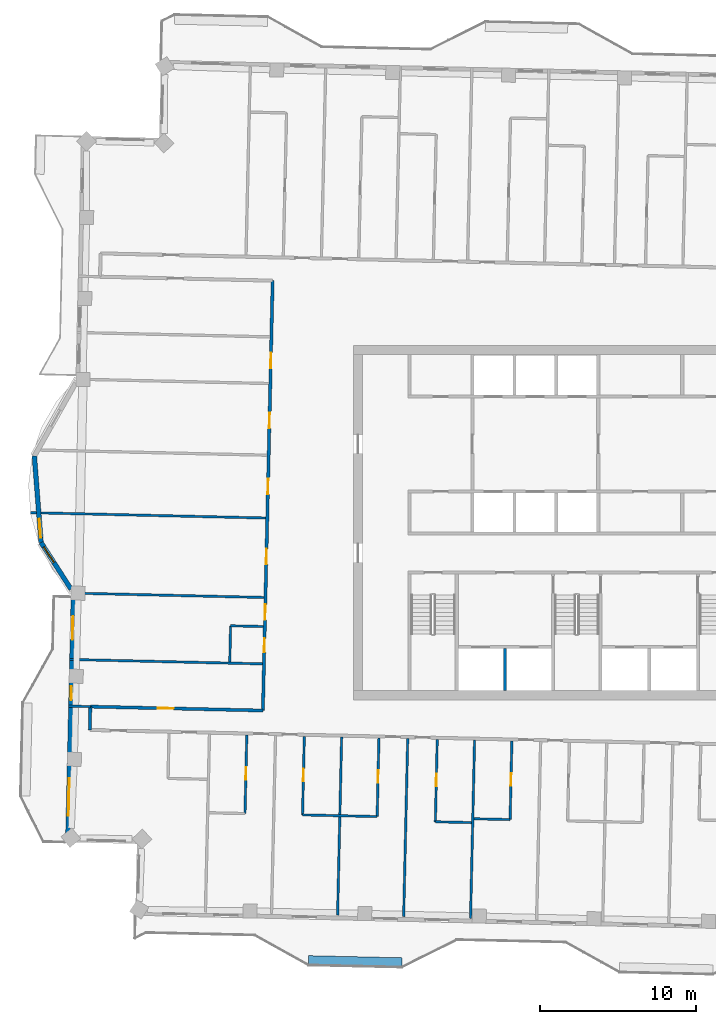
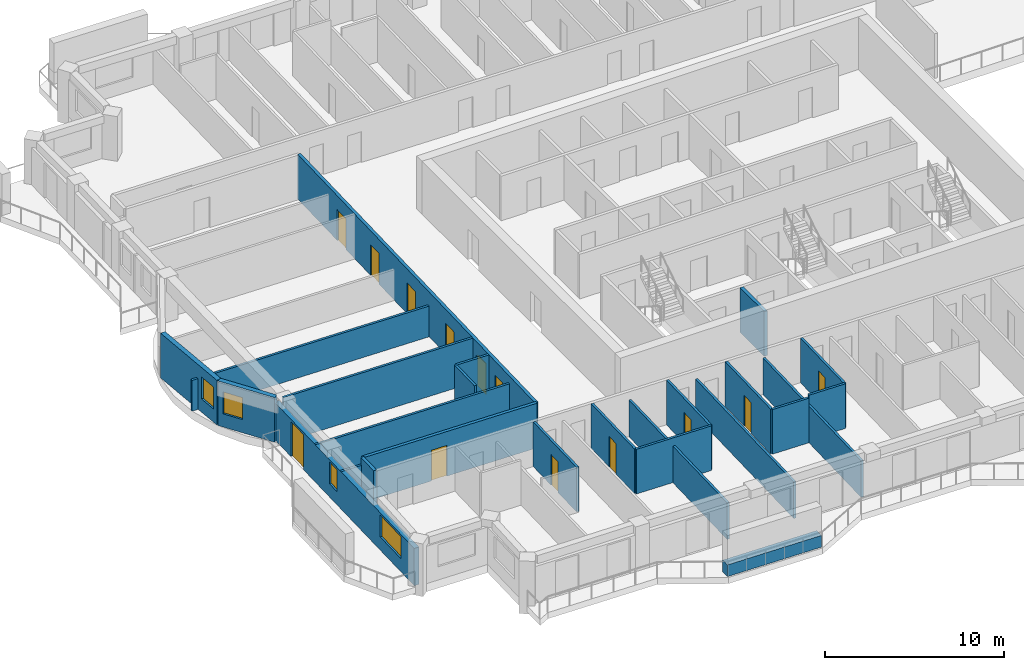
# One storey, part 4 of 15: 25 walls, 13 doors, 4 windows, 17 openings.
"""IFC4 building model written with IfcOpenShell, lengths in metres."""

from ifc_helpers import new_model, si_unit, direction, frame, frame_2d, origin, place, context, subcontext, project, spatial, rectangle, extrude, material, layer, layer_set, type_object, element, fill, save


model = new_model("IFC4")

# Units and contexts
model_context = context("Model", 3, precision=1e-05, world=origin(), true_north=direction((0.0, 1.0)))
body_context = subcontext(model_context, "Body", "Model", "MODEL_VIEW")
ifc_project = project(units=[si_unit("LENGTHUNIT", "METRE"), si_unit("AREAUNIT", "SQUARE_METRE"), si_unit("VOLUMEUNIT", "CUBIC_METRE"), si_unit("PLANEANGLEUNIT", "RADIAN"), si_unit("MASSUNIT", "GRAM", prefix="KILO")], contexts=[model_context])

# Site, building, storey
site_placement = place(None, origin())
site = spatial("IfcSite", under=ifc_project, at=site_placement, CompositionType="ELEMENT")
building_placement = place(site_placement, origin())
building = spatial("IfcBuilding", under=site, at=building_placement, Name="Mangrove Gate Tower", CompositionType="ELEMENT")
storey_placement = place(building_placement, frame((0.0, 0.0, 306.10009765625)))
storey = spatial("IfcBuildingStorey", under=building, at=storey_placement, Name="L78", CompositionType="ELEMENT", Elevation=306.10009765625)

# Walls
ifc_material_1 = material(Name="Concrete C50/60", Category="concrete")
ifc_layer_1 = layer(ifc_material_1, 0.199951171875)
ifc_layer_set_1 = layer_set([ifc_layer_1], Name="Core shaft wall 200 C50/60")
wall_type_1 = type_object("IfcWallType", Name="Core shaft wall 200 C50/60", PredefinedType="SHEAR", material=ifc_layer_set_1)
wall_1_placement = place(storey_placement, frame((-4.64990234375, -10.800048828125, 0.0), z_axis=(0.0, 0.0, 1.0), x_axis=(0.0, 1.0, 0.0)))
element("IfcWall", 1, at=wall_1_placement, inside=storey, type_object=wall_type_1, Name="WALL-L78-CORE-16", PredefinedType="SHEAR", context=body_context, shape_type="SweptSolid", body=[
    extrude(rectangle(XDim=2.699951171875, YDim=0.199951171875, at=frame_2d((1.35009765625, 0.0))), origin(), (0.0, 0.0, 1.0), 3.0498046875),
])
ifc_material_2 = material(Name="Gypsum board on steel stud, EI 60", Category="steel")
ifc_layer_2 = layer(ifc_material_2, 0.199951171875)
ifc_layer_set_2 = layer_set([ifc_layer_2], Name="Corridor wall EI 60")
wall_type_2 = type_object("IfcWallType", Name="Corridor wall EI 60", PredefinedType="PARTITIONING", material=ifc_layer_set_2)
wall_2_placement = place(storey_placement, frame((-31.346923828125, -13.3291015625, 0.0), z_axis=(0.0, 0.0, 1.0), x_axis=(0.022617910375, 0.999744182344, 0.0)))
element("IfcWall", 2, at=wall_2_placement, inside=storey, type_object=wall_type_2, Name="WALL-L78-035", PredefinedType="PARTITIONING", context=body_context, shape_type="SweptSolid", body=[
    extrude(rectangle(XDim=1.50048828125, YDim=0.199951171875, at=frame_2d((0.750244140625, 0.0))), origin(), (0.0, 0.0, 1.0), 3.0498046875),
])

# Wall, opening, door
wall_3_placement = place(storey_placement, frame((-31.31298828125, -11.8291015625, 0.0), z_axis=(0.0, 0.0, 1.0), x_axis=(0.999742346277, -0.022698921993, 0.0)))
wall_3 = element("IfcWall", 3, at=wall_3_placement, inside=storey, type_object=wall_type_2, Name="WALL-L78-038", PredefinedType="PARTITIONING", context=body_context, shape_type="SweptSolid", body=[
    extrude(rectangle(XDim=11.099853515625, YDim=0.199951171875, at=frame_2d((5.5498046875, 0.0))), origin(), (0.0, 0.0, 1.0), 3.0498046875),
])
opening_1_placement = place(wall_3_placement, frame((4.35009765625, 0.0, 0.0)))
opening_1 = element("IfcOpeningElement", 4, at=opening_1_placement, cuts=wall_3, Name="Opening AD", PredefinedType="OPENING", context=body_context, shape_type="SweptSolid", body=[
    extrude(rectangle(XDim=1.0, YDim=2.10009765625, at=frame_2d((0.5, 1.050048828125))), frame((0.0, 0.10986328125, 0.0), z_axis=(0.0, -1.0, 0.0), x_axis=(1.0, 0.0, 0.0)), (0.0, 0.0, 1.0), 0.219970703125),
])
ifc_material_3 = material(Name="Timber door leaf", Category="wood")
door_type_1 = type_object("IfcDoorType", Name="Amenity door 1000", OperationType="SINGLE_SWING_LEFT", PredefinedType="DOOR", material=ifc_material_3)
door_1_placement = place(opening_1_placement, origin())
door_1 = element("IfcDoor", 5, at=door_1_placement, inside=storey, type_object=door_type_1, Name="DOOR-L78-STU-c5b", OperationType="SINGLE_SWING_LEFT", OverallHeight=2.10009765625, OverallWidth=1.0, PredefinedType="DOOR", context=body_context, shape_type="SweptSolid", body=[
    extrude(rectangle(XDim=1.0, YDim=2.10009765625, at=frame_2d((0.5, 1.050048828125))), frame((0.0, 0.02490234375, 0.0), z_axis=(0.0, -1.0, 0.0), x_axis=(1.0, 0.0, 0.0)), (0.0, 0.0, 1.0), 0.050048828125),
])
fill(opening_1, door_1)

# Wall, openings, doors
wall_4_placement = place(storey_placement, frame((-20.216064453125, -12.0810546875, 0.0), z_axis=(0.0, 0.0, 1.0), x_axis=(0.02267447203, 0.999742901109, 0.0)))
wall_4 = element("IfcWall", 6, at=wall_4_placement, inside=storey, type_object=wall_type_2, Name="WALL-L78-039", PredefinedType="PARTITIONING", context=body_context, shape_type="SweptSolid", body=[
    extrude(rectangle(XDim=27.650146484375, YDim=0.199951171875, at=frame_2d((13.8251953125, 0.0))), origin(), (0.0, 0.0, 1.0), 3.0498046875),
])
opening_2_placement = place(wall_4_placement, frame((22.02490234375, 0.0, 0.0)))
opening_2 = element("IfcOpeningElement", 7, at=opening_2_placement, cuts=wall_4, Name="Opening AD", PredefinedType="OPENING", context=body_context, shape_type="SweptSolid", body=[
    extrude(rectangle(XDim=1.0, YDim=2.10009765625, at=frame_2d((0.5, 1.050048828125))), frame((0.0, 0.10986328125, 0.0), z_axis=(0.0, -1.0, 0.0), x_axis=(1.0, 0.0, 0.0)), (0.0, 0.0, 1.0), 0.219970703125),
])
opening_3_placement = place(wall_4_placement, frame((18.155029296875, 0.0, 0.0)))
opening_3 = element("IfcOpeningElement", 8, at=opening_3_placement, cuts=wall_4, Name="Opening AD", PredefinedType="OPENING", context=body_context, shape_type="SweptSolid", body=[
    extrude(rectangle(XDim=1.0, YDim=2.10009765625, at=frame_2d((0.5, 1.050048828125))), frame((0.0, 0.10986328125, 0.0), z_axis=(0.0, -1.0, 0.0), x_axis=(1.0, 0.0, 0.0)), (0.0, 0.0, 1.0), 0.219970703125),
])
opening_4_placement = place(wall_4_placement, frame((13.89794921875, 0.0, 0.0)))
opening_4 = element("IfcOpeningElement", 9, at=opening_4_placement, cuts=wall_4, Name="Opening AD", PredefinedType="OPENING", context=body_context, shape_type="SweptSolid", body=[
    extrude(rectangle(XDim=1.0, YDim=2.10009765625, at=frame_2d((0.5, 1.050048828125))), frame((0.0, 0.10986328125, 0.0), z_axis=(0.0, -1.0, 0.0), x_axis=(1.0, 0.0, 0.0)), (0.0, 0.0, 1.0), 0.219970703125),
])
opening_5_placement = place(wall_4_placement, frame((9.405029296875, 0.0, 0.0)))
opening_5 = element("IfcOpeningElement", 10, at=opening_5_placement, cuts=wall_4, Name="Opening AD", PredefinedType="OPENING", context=body_context, shape_type="SweptSolid", body=[
    extrude(rectangle(XDim=1.0, YDim=2.10009765625, at=frame_2d((0.5, 1.050048828125))), frame((0.0, 0.10986328125, 0.0), z_axis=(0.0, -1.0, 0.0), x_axis=(1.0, 0.0, 0.0)), (0.0, 0.0, 1.0), 0.219970703125),
])
opening_6_placement = place(wall_4_placement, frame((5.8369140625, 0.0, 0.0)))
opening_6 = element("IfcOpeningElement", 11, at=opening_6_placement, cuts=wall_4, Name="Opening AD", PredefinedType="OPENING", context=body_context, shape_type="SweptSolid", body=[
    extrude(rectangle(XDim=1.0, YDim=2.10009765625, at=frame_2d((0.5, 1.050048828125))), frame((0.0, 0.10986328125, 0.0), z_axis=(0.0, -1.0, 0.0), x_axis=(1.0, 0.0, 0.0)), (0.0, 0.0, 1.0), 0.219970703125),
])
opening_7_placement = place(wall_4_placement, frame((3.75, 0.0, 0.0)))
opening_7 = element("IfcOpeningElement", 12, at=opening_7_placement, cuts=wall_4, Name="Opening SD", PredefinedType="OPENING", context=body_context, shape_type="SweptSolid", body=[
    extrude(rectangle(XDim=0.89990234375, YDim=2.10009765625, at=frame_2d((0.449951171875, 1.050048828125))), frame((0.0, 0.10986328125, 0.0), z_axis=(0.0, -1.0, 0.0), x_axis=(1.0, 0.0, 0.0)), (0.0, 0.0, 1.0), 0.219970703125),
])
door_2_placement = place(opening_2_placement, origin())
door_2 = element("IfcDoor", 13, at=door_2_placement, inside=storey, type_object=door_type_1, Name="DOOR-L78-STU-c5a", OperationType="SINGLE_SWING_RIGHT", OverallHeight=2.10009765625, OverallWidth=1.0, PredefinedType="DOOR", context=body_context, shape_type="SweptSolid", body=[
    extrude(rectangle(XDim=1.0, YDim=2.10009765625, at=frame_2d((0.5, 1.050048828125))), frame((0.0, 0.02490234375, 0.0), z_axis=(0.0, -1.0, 0.0), x_axis=(1.0, 0.0, 0.0)), (0.0, 0.0, 1.0), 0.050048828125),
])
fill(opening_2, door_2)
door_3_placement = place(opening_3_placement, origin())
door_3 = element("IfcDoor", 14, at=door_3_placement, inside=storey, type_object=door_type_1, Name="DOOR-L78-KIT-c5c", OperationType="SINGLE_SWING_LEFT", OverallHeight=2.10009765625, OverallWidth=1.0, PredefinedType="DOOR", context=body_context, shape_type="SweptSolid", body=[
    extrude(rectangle(XDim=1.0, YDim=2.10009765625, at=frame_2d((0.5, 1.050048828125))), frame((0.0, 0.02490234375, 0.0), z_axis=(0.0, -1.0, 0.0), x_axis=(1.0, 0.0, 0.0)), (0.0, 0.0, 1.0), 0.050048828125),
])
fill(opening_3, door_3)
door_4_placement = place(opening_4_placement, origin())
door_4 = element("IfcDoor", 15, at=door_4_placement, inside=storey, type_object=door_type_1, Name="DOOR-L78-KIT-c5d", OperationType="SINGLE_SWING_RIGHT", OverallHeight=2.10009765625, OverallWidth=1.0, PredefinedType="DOOR", context=body_context, shape_type="SweptSolid", body=[
    extrude(rectangle(XDim=1.0, YDim=2.10009765625, at=frame_2d((0.5, 1.050048828125))), frame((0.0, 0.02490234375, 0.0), z_axis=(0.0, -1.0, 0.0), x_axis=(1.0, 0.0, 0.0)), (0.0, 0.0, 1.0), 0.050048828125),
])
fill(opening_4, door_4)
door_5_placement = place(opening_5_placement, origin())
door_5 = element("IfcDoor", 16, at=door_5_placement, inside=storey, type_object=door_type_1, Name="DOOR-L78-LNG-c5a", OperationType="SINGLE_SWING_LEFT", OverallHeight=2.10009765625, OverallWidth=1.0, PredefinedType="DOOR", context=body_context, shape_type="SweptSolid", body=[
    extrude(rectangle(XDim=1.0, YDim=2.10009765625, at=frame_2d((0.5, 1.050048828125))), frame((0.0, 0.02490234375, 0.0), z_axis=(0.0, -1.0, 0.0), x_axis=(1.0, 0.0, 0.0)), (0.0, 0.0, 1.0), 0.050048828125),
])
fill(opening_5, door_5)
door_6_placement = place(opening_6_placement, origin())
door_6 = element("IfcDoor", 17, at=door_6_placement, inside=storey, type_object=door_type_1, Name="DOOR-L78-KIT-c5e", OperationType="SINGLE_SWING_RIGHT", OverallHeight=2.10009765625, OverallWidth=1.0, PredefinedType="DOOR", context=body_context, shape_type="SweptSolid", body=[
    extrude(rectangle(XDim=1.0, YDim=2.10009765625, at=frame_2d((0.5, 1.050048828125))), frame((0.0, 0.02490234375, 0.0), z_axis=(0.0, -1.0, 0.0), x_axis=(1.0, 0.0, 0.0)), (0.0, 0.0, 1.0), 0.050048828125),
])
fill(opening_6, door_6)
ifc_material_4 = material(Name="Timber door leaf", Category="wood")
door_type_2 = type_object("IfcDoorType", Name="Service room door 900", OperationType="SINGLE_SWING_LEFT", PredefinedType="DOOR", material=ifc_material_4)
door_7_placement = place(opening_7_placement, origin())
door_7 = element("IfcDoor", 18, at=door_7_placement, inside=storey, type_object=door_type_2, Name="DOOR-L78-LIN-c5a", OperationType="SINGLE_SWING_LEFT", OverallHeight=2.10009765625, OverallWidth=0.89990234375, PredefinedType="DOOR", context=body_context, shape_type="SweptSolid", body=[
    extrude(rectangle(XDim=0.89990234375, YDim=2.10009765625, at=frame_2d((0.449951171875, 1.050048828125))), frame((0.0, 0.02490234375, 0.0), z_axis=(0.0, -1.0, 0.0), x_axis=(1.0, 0.0, 0.0)), (0.0, 0.0, 1.0), 0.050048828125),
])
fill(opening_7, door_7)

# Wall, opening, window
ifc_material_5 = material(Name="Limestone", Category="masonry")
ifc_layer_3 = layer(ifc_material_5, 0.0400390625, Name="Limestone cladding")
ifc_material_6 = material(Name="Ventilated air gap")
ifc_layer_4 = layer(ifc_material_6, 0.0400390625, Name="Ventilated cavity")
ifc_material_7 = material(Name="Mineral wool insulation")
ifc_layer_5 = layer(ifc_material_7, 0.06005859375, Name="Insulation")
ifc_material_8 = material(Name="Breather membrane")
ifc_layer_6 = layer(ifc_material_8, 0.001953125, Name="Breather membrane")
ifc_material_9 = material(Name="Concrete C20/25 blockwork", Category="masonry")
ifc_layer_7 = layer(ifc_material_9, 0.14990234375, Name="Blockwork backing wall")
ifc_material_10 = material(Name="Gypsum plaster")
ifc_layer_8 = layer(ifc_material_10, 0.008056640625, Name="Internal plaster")
ifc_layer_set_3 = layer_set([ifc_layer_3, ifc_layer_4, ifc_layer_5, ifc_layer_6, ifc_layer_7, ifc_layer_8], Name="External wall 300 limestone cladding")
wall_type_3 = type_object("IfcWallType", Name="External wall 300 limestone cladding", PredefinedType="SOLIDWALL", material=ifc_layer_set_3)
wall_5_placement = place(storey_placement, frame((-34.910888671875, 4.280029296875, 0.0), z_axis=(0.0, 0.0, 1.0), x_axis=(0.077135284219, -0.997020635658, 0.0)))
wall_5 = element("IfcWall", 19, at=wall_5_placement, inside=storey, type_object=wall_type_3, Name="WALL-L78-W9f2", PredefinedType="SOLIDWALL", context=body_context, shape_type="SweptSolid", body=[
    extrude(rectangle(XDim=5.57373046875, YDim=0.300048828125, at=frame_2d((2.786865234375, 0.0))), origin(), (0.0, 0.0, 1.0), 3.0498046875),
])
opening_8_placement = place(wall_5_placement, frame((4.05810546875, 0.0, 0.89990234375)))
opening_8 = element("IfcOpeningElement", 20, at=opening_8_placement, cuts=wall_5, Name="Opening W1", PredefinedType="OPENING", context=body_context, shape_type="SweptSolid", body=[
    extrude(rectangle(XDim=1.199951171875, YDim=1.5, at=frame_2d((0.60009765625, 0.75))), frame((0.0, 0.159912109375, 0.0), z_axis=(0.0, -1.0, 0.0), x_axis=(1.0, 0.0, 0.0)), (0.0, 0.0, 1.0), 0.320068359375),
])
ifc_material_11 = material(Name="Aluminium frame with double-glazed low-e glass", Category="aluminium")
window_type_1 = type_object("IfcWindowType", Name="Side lite 1200x1500", PartitioningType="SINGLE_PANEL", PredefinedType="WINDOW", material=ifc_material_11)
window_1_placement = place(opening_8_placement, origin())
window_1 = element("IfcWindow", 21, at=window_1_placement, inside=storey, type_object=window_type_1, Name="WIN-L78-W9f2", OverallHeight=1.5, OverallWidth=1.199951171875, PartitioningType="SINGLE_PANEL", PredefinedType="WINDOW", context=body_context, shape_type="SweptSolid", body=[
    extrude(rectangle(XDim=1.199951171875, YDim=1.5, at=frame_2d((0.60009765625, 0.75))), frame((0.0, 0.030029296875, 0.0), z_axis=(0.0, -1.0, 0.0), x_axis=(1.0, 0.0, 0.0)), (0.0, 0.0, 1.0), 0.06005859375),
])
fill(opening_8, window_1)

wall_6_placement = place(storey_placement, frame((-34.48095703125, -1.277099609375, 0.0), z_axis=(0.0, 0.0, 1.0), x_axis=(0.540460234606, -0.841369558999, 0.0)))
wall_6 = element("IfcWall", 22, at=wall_6_placement, inside=storey, type_object=wall_type_3, Name="WALL-L78-W9f3", PredefinedType="SOLIDWALL", context=body_context, shape_type="SweptSolid", body=[
    extrude(rectangle(XDim=3.569091796875, YDim=0.300048828125, at=frame_2d((1.78466796875, 0.0))), origin(), (0.0, 0.0, 1.0), 3.0498046875),
])
opening_9_placement = place(wall_6_placement, frame((0.337890625, 0.0, 0.89990234375)))
opening_9 = element("IfcOpeningElement", 23, at=opening_9_placement, cuts=wall_6, Name="Opening W1", PredefinedType="OPENING", context=body_context, shape_type="SweptSolid", body=[
    extrude(rectangle(XDim=1.199951171875, YDim=1.5, at=frame_2d((0.60009765625, 0.75))), frame((0.0, 0.159912109375, 0.0), z_axis=(0.0, -1.0, 0.0), x_axis=(1.0, 0.0, 0.0)), (0.0, 0.0, 1.0), 0.320068359375),
])
window_2_placement = place(opening_9_placement, origin())
window_2 = element("IfcWindow", 24, at=window_2_placement, inside=storey, type_object=window_type_1, Name="WIN-L78-W9f3", OverallHeight=1.5, OverallWidth=1.199951171875, PartitioningType="SINGLE_PANEL", PredefinedType="WINDOW", context=body_context, shape_type="SweptSolid", body=[
    extrude(rectangle(XDim=1.199951171875, YDim=1.5, at=frame_2d((0.60009765625, 0.75))), frame((0.0, 0.030029296875, 0.0), z_axis=(0.0, -1.0, 0.0), x_axis=(1.0, 0.0, 0.0)), (0.0, 0.0, 1.0), 0.06005859375),
])
fill(opening_9, window_2)

# Wall, openings, door, windows
wall_7_placement = place(storey_placement, frame((-32.387939453125, -4.0791015625, 0.0), z_axis=(0.0, 0.0, 1.0), x_axis=(-0.022673163436, -0.999742930788, 0.0)))
wall_7 = element("IfcWall", 25, at=wall_7_placement, inside=storey, type_object=wall_type_3, Name="WALL-L78-W10s1", PredefinedType="SOLIDWALL", context=body_context, shape_type="SweptSolid", body=[
    extrude(rectangle(XDim=16.323974609375, YDim=0.300048828125, at=frame_2d((8.162109375, 0.0))), origin(), (0.0, 0.0, 1.0), 2.5498046875),
])
opening_10_placement = place(wall_7_placement, frame((1.93701171875, 0.0, 0.0)))
opening_10 = element("IfcOpeningElement", 26, at=opening_10_placement, cuts=wall_7, Name="Opening BD1", PredefinedType="OPENING", context=body_context, shape_type="SweptSolid", body=[
    extrude(rectangle(XDim=1.5, YDim=2.39990234375, at=frame_2d((0.75, 1.199951171875))), frame((0.0, 0.159912109375, 0.0), z_axis=(0.0, -1.0, 0.0), x_axis=(1.0, 0.0, 0.0)), (0.0, 0.0, 1.0), 0.320068359375),
])
opening_11_placement = place(wall_7_placement, frame((6.43310546875, 0.0, 0.89990234375)))
opening_11 = element("IfcOpeningElement", 27, at=opening_11_placement, cuts=wall_7, Name="Opening W5", PredefinedType="OPENING", context=body_context, shape_type="SweptSolid", body=[
    extrude(rectangle(XDim=0.89990234375, YDim=1.5, at=frame_2d((0.449951171875, 0.75))), frame((0.0, 0.159912109375, 0.0), z_axis=(0.0, -1.0, 0.0), x_axis=(1.0, 0.0, 0.0)), (0.0, 0.0, 1.0), 0.320068359375),
])
opening_12_placement = place(wall_7_placement, frame((12.364013671875, 0.0, 0.89990234375)))
opening_12 = element("IfcOpeningElement", 28, at=opening_12_placement, cuts=wall_7, Name="Opening W2", PredefinedType="OPENING", context=body_context, shape_type="SweptSolid", body=[
    extrude(rectangle(XDim=2.39990234375, YDim=1.5, at=frame_2d((1.199951171875, 0.75))), frame((0.0, 0.159912109375, 0.0), z_axis=(0.0, -1.0, 0.0), x_axis=(1.0, 0.0, 0.0)), (0.0, 0.0, 1.0), 0.320068359375),
])
ifc_material_12 = material(Name="Aluminium frame with laminated clear glass", Category="aluminium")
door_type_3 = type_object("IfcDoorType", Name="Balcony sliding door 1500x2400", OperationType="SLIDING_TO_LEFT", PredefinedType="DOOR", material=ifc_material_12)
door_8_placement = place(opening_10_placement, origin())
door_8 = element("IfcDoor", 29, at=door_8_placement, inside=storey, type_object=door_type_3, Name="DOOR-L78-W10-1", OperationType="SLIDING_TO_LEFT", OverallHeight=2.39990234375, OverallWidth=1.5, PredefinedType="DOOR", context=body_context, shape_type="SweptSolid", body=[
    extrude(rectangle(XDim=1.5, YDim=2.39990234375, at=frame_2d((0.75, 1.199951171875))), frame((0.0, 0.02490234375, 0.0), z_axis=(0.0, -1.0, 0.0), x_axis=(1.0, 0.0, 0.0)), (0.0, 0.0, 1.0), 0.050048828125),
])
fill(opening_10, door_8)
ifc_material_13 = material(Name="Aluminium frame with double-glazed low-e glass", Category="aluminium")
window_type_2 = type_object("IfcWindowType", Name="Corner room window 2400x1500", PartitioningType="DOUBLE_PANEL_VERTICAL", PredefinedType="WINDOW", material=ifc_material_13)
window_3_placement = place(opening_12_placement, origin())
window_3 = element("IfcWindow", 30, at=window_3_placement, inside=storey, type_object=window_type_2, Name="WIN-L78-W10-3", OverallHeight=1.5, OverallWidth=2.39990234375, PartitioningType="DOUBLE_PANEL_VERTICAL", PredefinedType="WINDOW", context=body_context, shape_type="SweptSolid", body=[
    extrude(rectangle(XDim=2.39990234375, YDim=1.5, at=frame_2d((1.199951171875, 0.75))), frame((0.0, 0.030029296875, 0.0), z_axis=(0.0, -1.0, 0.0), x_axis=(1.0, 0.0, 0.0)), (0.0, 0.0, 1.0), 0.06005859375),
])
fill(opening_12, window_3)
ifc_material_14 = material(Name="Aluminium frame with double-glazed low-e glass", Category="aluminium")
window_type_3 = type_object("IfcWindowType", Name="Narrow window 900x1500", PartitioningType="SINGLE_PANEL", PredefinedType="WINDOW", material=ifc_material_14)
window_4_placement = place(opening_11_placement, origin())
window_4 = element("IfcWindow", 31, at=window_4_placement, inside=storey, type_object=window_type_3, Name="WIN-L78-W10-2", OverallHeight=1.5, OverallWidth=0.89990234375, PartitioningType="SINGLE_PANEL", PredefinedType="WINDOW", context=body_context, shape_type="SweptSolid", body=[
    extrude(rectangle(XDim=0.89990234375, YDim=1.5, at=frame_2d((0.449951171875, 0.75))), frame((0.0, 0.030029296875, 0.0), z_axis=(0.0, -1.0, 0.0), x_axis=(1.0, 0.0, 0.0)), (0.0, 0.0, 1.0), 0.06005859375),
])
fill(opening_11, window_4)

# Walls
ifc_material_15 = material(Name="Gypsum board on steel stud, EI 60", Category="steel")
ifc_layer_9 = layer(ifc_material_15, 0.14990234375)
ifc_layer_set_4 = layer_set([ifc_layer_9], Name="Party wall 150 EI 60")
wall_type_4 = type_object("IfcWallType", Name="Party wall 150 EI 60", PredefinedType="PARTITIONING", material=ifc_layer_set_4)
wall_8_placement = place(storey_placement, frame((-15.4140625, -25.243896484375, 0.0), z_axis=(0.0, 0.0, 1.0), x_axis=(0.022706391805, 0.999742176649, 0.0)))
element("IfcWall", 32, at=wall_8_placement, inside=storey, type_object=wall_type_4, Name="WALL-L78-003", PredefinedType="PARTITIONING", context=body_context, shape_type="SweptSolid", body=[
    extrude(rectangle(XDim=11.450927734375, YDim=0.14990234375, at=frame_2d((5.7255859375, 0.0))), origin(), (0.0, 0.0, 1.0), 2.5),
])
wall_9_placement = place(storey_placement, frame((-11.1650390625, -25.340087890625, 0.0), z_axis=(0.0, 0.0, 1.0), x_axis=(0.022708327922, 0.999742132674, 0.0)))
element("IfcWall", 33, at=wall_9_placement, inside=storey, type_object=wall_type_4, Name="WALL-L78-004", PredefinedType="PARTITIONING", context=body_context, shape_type="SweptSolid", body=[
    extrude(rectangle(XDim=11.449951171875, YDim=0.14990234375, at=frame_2d((5.72509765625, 0.0))), origin(), (0.0, 0.0, 1.0), 2.5),
])
wall_10_placement = place(storey_placement, frame((-6.865966796875, -25.43798828125, 0.0), z_axis=(0.0, 0.0, 1.0), x_axis=(0.022706391805, 0.999742176649, 0.0)))
element("IfcWall", 34, at=wall_10_placement, inside=storey, type_object=wall_type_4, Name="WALL-L78-005", PredefinedType="PARTITIONING", context=body_context, shape_type="SweptSolid", body=[
    extrude(rectangle(XDim=11.450927734375, YDim=0.14990234375, at=frame_2d((5.7255859375, 0.0))), origin(), (0.0, 0.0, 1.0), 2.5),
])
wall_11_placement = place(storey_placement, frame((-9.1259765625, -19.235107421875, 0.0), z_axis=(0.0, 0.0, 1.0), x_axis=(0.999749954681, -0.022361308448, 0.0)))
element("IfcWall", 35, at=wall_11_placement, inside=storey, type_object=wall_type_4, Name="WALL-L78-012", PredefinedType="PARTITIONING", context=body_context, shape_type="SweptSolid", body=[
    extrude(rectangle(XDim=2.325439453125, YDim=0.14990234375, at=frame_2d((1.16259765625, 0.0))), origin(), (0.0, 0.0, 1.0), 3.0498046875),
])

# Wall, opening, door
wall_12_placement = place(storey_placement, frame((-9.1259765625, -19.235107421875, 0.0), z_axis=(0.0, 0.0, 1.0), x_axis=(0.022615729912, 0.999744231672, 0.0)))
wall_12 = element("IfcWall", 36, at=wall_12_placement, inside=storey, type_object=wall_type_4, Name="WALL-L78-013", PredefinedType="PARTITIONING", context=body_context, shape_type="SweptSolid", body=[
    extrude(rectangle(XDim=5.300537109375, YDim=0.14990234375, at=frame_2d((2.650390625, 0.0))), origin(), (0.0, 0.0, 1.0), 3.0498046875),
])
opening_13_placement = place(wall_12_placement, frame((2.300048828125, 0.0, 0.0)))
opening_13 = element("IfcOpeningElement", 37, at=opening_13_placement, cuts=wall_12, Name="Opening ED", PredefinedType="OPENING", context=body_context, shape_type="SweptSolid", body=[
    extrude(rectangle(XDim=0.800048828125, YDim=2.10009765625, at=frame_2d((0.39990234375, 1.050048828125))), frame((0.0, 0.0849609375, 0.0), z_axis=(0.0, -1.0, 0.0), x_axis=(1.0, 0.0, 0.0)), (0.0, 0.0, 1.0), 0.169921875),
])
ifc_material_16 = material(Name="Timber door leaf", Category="wood")
door_type_4 = type_object("IfcDoorType", Name="En-suite door 800", OperationType="SINGLE_SWING_LEFT", PredefinedType="DOOR", material=ifc_material_16)
door_9_placement = place(opening_13_placement, origin())
door_9 = element("IfcDoor", 38, at=door_9_placement, inside=storey, type_object=door_type_4, Name="DOOR-L78-ENS-c104", OperationType="SINGLE_SWING_RIGHT", OverallHeight=2.10009765625, OverallWidth=0.800048828125, PredefinedType="DOOR", context=body_context, shape_type="SweptSolid", body=[
    extrude(rectangle(XDim=0.800048828125, YDim=2.10009765625, at=frame_2d((0.39990234375, 1.050048828125))), frame((0.0, 0.02490234375, 0.0), z_axis=(0.0, -1.0, 0.0), x_axis=(1.0, 0.0, 0.0)), (0.0, 0.0, 1.0), 0.050048828125),
])
fill(opening_13, door_9)

wall_13_placement = place(storey_placement, frame((-21.366943359375, -18.70703125, 0.0), z_axis=(0.0, 0.0, 1.0), x_axis=(0.022768623305, 0.999740761294, 0.0)))
wall_13 = element("IfcWall", 39, at=wall_13_placement, inside=storey, type_object=wall_type_4, Name="WALL-L78-017", PredefinedType="PARTITIONING", context=body_context, shape_type="SweptSolid", body=[
    extrude(rectangle(XDim=5.05029296875, YDim=0.14990234375, at=frame_2d((2.525146484375, 0.0))), origin(), (0.0, 0.0, 1.0), 3.0498046875),
])
opening_14_placement = place(wall_13_placement, frame((2.175048828125, 0.0, 0.0)))
opening_14 = element("IfcOpeningElement", 40, at=opening_14_placement, cuts=wall_13, Name="Opening ED", PredefinedType="OPENING", context=body_context, shape_type="SweptSolid", body=[
    extrude(rectangle(XDim=0.800048828125, YDim=2.10009765625, at=frame_2d((0.39990234375, 1.050048828125))), frame((0.0, 0.0849609375, 0.0), z_axis=(0.0, -1.0, 0.0), x_axis=(1.0, 0.0, 0.0)), (0.0, 0.0, 1.0), 0.169921875),
])
door_10_placement = place(opening_14_placement, origin())
door_10 = element("IfcDoor", 41, at=door_10_placement, inside=storey, type_object=door_type_4, Name="DOOR-L78-ENS-c101", OperationType="SINGLE_SWING_LEFT", OverallHeight=2.10009765625, OverallWidth=0.800048828125, PredefinedType="DOOR", context=body_context, shape_type="SweptSolid", body=[
    extrude(rectangle(XDim=0.800048828125, YDim=2.10009765625, at=frame_2d((0.39990234375, 1.050048828125))), frame((0.0, 0.02490234375, 0.0), z_axis=(0.0, -1.0, 0.0), x_axis=(1.0, 0.0, 0.0)), (0.0, 0.0, 1.0), 0.050048828125),
])
fill(opening_14, door_10)

# Wall
wall_14_placement = place(storey_placement, frame((-17.66796875, -18.791015625, 0.0), z_axis=(0.0, 0.0, 1.0), x_axis=(0.999742701292, -0.022683280499, 0.0)))
element("IfcWall", 42, at=wall_14_placement, inside=storey, type_object=wall_type_4, Name="WALL-L78-018", PredefinedType="PARTITIONING", context=body_context, shape_type="SweptSolid", body=[
    extrude(rectangle(XDim=4.80029296875, YDim=0.14990234375, at=frame_2d((2.400146484375, 0.0))), origin(), (0.0, 0.0, 1.0), 3.0498046875),
])

# Wall, opening, door
wall_15_placement = place(storey_placement, frame((-17.66796875, -18.791015625, 0.0), z_axis=(0.0, 0.0, 1.0), x_axis=(0.022768623305, 0.999740761294, 0.0)))
wall_15 = element("IfcWall", 43, at=wall_15_placement, inside=storey, type_object=wall_type_4, Name="WALL-L78-019", PredefinedType="PARTITIONING", context=body_context, shape_type="SweptSolid", body=[
    extrude(rectangle(XDim=5.05029296875, YDim=0.14990234375, at=frame_2d((2.525146484375, 0.0))), origin(), (0.0, 0.0, 1.0), 3.0498046875),
])
opening_15_placement = place(wall_15_placement, frame((2.175048828125, 0.0, 0.0)))
opening_15 = element("IfcOpeningElement", 44, at=opening_15_placement, cuts=wall_15, Name="Opening ED", PredefinedType="OPENING", context=body_context, shape_type="SweptSolid", body=[
    extrude(rectangle(XDim=0.800048828125, YDim=2.10009765625, at=frame_2d((0.39990234375, 1.050048828125))), frame((0.0, 0.0849609375, 0.0), z_axis=(0.0, -1.0, 0.0), x_axis=(1.0, 0.0, 0.0)), (0.0, 0.0, 1.0), 0.169921875),
])
door_11_placement = place(opening_15_placement, origin())
door_11 = element("IfcDoor", 45, at=door_11_placement, inside=storey, type_object=door_type_4, Name="DOOR-L78-ENS-c102", OperationType="SINGLE_SWING_RIGHT", OverallHeight=2.10009765625, OverallWidth=0.800048828125, PredefinedType="DOOR", context=body_context, shape_type="SweptSolid", body=[
    extrude(rectangle(XDim=0.800048828125, YDim=2.10009765625, at=frame_2d((0.39990234375, 1.050048828125))), frame((0.0, 0.02490234375, 0.0), z_axis=(0.0, -1.0, 0.0), x_axis=(1.0, 0.0, 0.0)), (0.0, 0.0, 1.0), 0.050048828125),
])
fill(opening_15, door_11)

wall_16_placement = place(storey_placement, frame((-12.868896484375, -18.89990234375, 0.0), z_axis=(0.0, 0.0, 1.0), x_axis=(0.022576449265, 0.999745119487, 0.0)))
wall_16 = element("IfcWall", 46, at=wall_16_placement, inside=storey, type_object=wall_type_4, Name="WALL-L78-020", PredefinedType="PARTITIONING", context=body_context, shape_type="SweptSolid", body=[
    extrude(rectangle(XDim=5.050048828125, YDim=0.14990234375, at=frame_2d((2.52490234375, 0.0))), origin(), (0.0, 0.0, 1.0), 3.0498046875),
])
opening_16_placement = place(wall_16_placement, frame((2.175048828125, 0.0, 0.0)))
opening_16 = element("IfcOpeningElement", 47, at=opening_16_placement, cuts=wall_16, Name="Opening ED", PredefinedType="OPENING", context=body_context, shape_type="SweptSolid", body=[
    extrude(rectangle(XDim=0.800048828125, YDim=2.10009765625, at=frame_2d((0.39990234375, 1.050048828125))), frame((0.0, 0.0849609375, 0.0), z_axis=(0.0, -1.0, 0.0), x_axis=(1.0, 0.0, 0.0)), (0.0, 0.0, 1.0), 0.169921875),
])
door_12_placement = place(opening_16_placement, origin())
door_12 = element("IfcDoor", 48, at=door_12_placement, inside=storey, type_object=door_type_4, Name="DOOR-L78-ENS-c103", OperationType="SINGLE_SWING_LEFT", OverallHeight=2.10009765625, OverallWidth=0.800048828125, PredefinedType="DOOR", context=body_context, shape_type="SweptSolid", body=[
    extrude(rectangle(XDim=0.800048828125, YDim=2.10009765625, at=frame_2d((0.39990234375, 1.050048828125))), frame((0.0, 0.02490234375, 0.0), z_axis=(0.0, -1.0, 0.0), x_axis=(1.0, 0.0, 0.0)), (0.0, 0.0, 1.0), 0.050048828125),
])
fill(opening_16, door_12)

# Wall
wall_17_placement = place(storey_placement, frame((-6.64599609375, -19.041015625, 0.0), z_axis=(0.0, 0.0, 1.0), x_axis=(0.999740478815, -0.022781023197, 0.0)))
element("IfcWall", 49, at=wall_17_placement, inside=storey, type_object=wall_type_4, Name="WALL-L78-021", PredefinedType="PARTITIONING", context=body_context, shape_type="SweptSolid", body=[
    extrude(rectangle(XDim=2.325439453125, YDim=0.14990234375, at=frame_2d((1.16259765625, 0.0))), origin(), (0.0, 0.0, 1.0), 3.0498046875),
])

# Wall, opening, door
wall_18_placement = place(storey_placement, frame((-4.321044921875, -19.093994140625, 0.0), z_axis=(0.0, 0.0, 1.0), x_axis=(0.02257535817, 0.999745144126, 0.0)))
wall_18 = element("IfcWall", 50, at=wall_18_placement, inside=storey, type_object=wall_type_4, Name="WALL-L78-022", PredefinedType="PARTITIONING", context=body_context, shape_type="SweptSolid", body=[
    extrude(rectangle(XDim=5.05029296875, YDim=0.14990234375, at=frame_2d((2.525146484375, 0.0))), origin(), (0.0, 0.0, 1.0), 3.0498046875),
])
opening_17_placement = place(wall_18_placement, frame((2.175048828125, 0.0, 0.0)))
opening_17 = element("IfcOpeningElement", 51, at=opening_17_placement, cuts=wall_18, Name="Opening ED", PredefinedType="OPENING", context=body_context, shape_type="SweptSolid", body=[
    extrude(rectangle(XDim=0.800048828125, YDim=2.10009765625, at=frame_2d((0.39990234375, 1.050048828125))), frame((0.0, 0.0849609375, 0.0), z_axis=(0.0, -1.0, 0.0), x_axis=(1.0, 0.0, 0.0)), (0.0, 0.0, 1.0), 0.169921875),
])
door_13_placement = place(opening_17_placement, origin())
door_13 = element("IfcDoor", 52, at=door_13_placement, inside=storey, type_object=door_type_4, Name="DOOR-L78-ENS-c205", OperationType="SINGLE_SWING_LEFT", OverallHeight=2.10009765625, OverallWidth=0.800048828125, PredefinedType="DOOR", context=body_context, shape_type="SweptSolid", body=[
    extrude(rectangle(XDim=0.800048828125, YDim=2.10009765625, at=frame_2d((0.39990234375, 1.050048828125))), frame((0.0, 0.02490234375, 0.0), z_axis=(0.0, -1.0, 0.0), x_axis=(1.0, 0.0, 0.0)), (0.0, 0.0, 1.0), 0.050048828125),
])
fill(opening_17, door_13)

# Walls
wall_19_placement = place(storey_placement, frame((-32.712890625, -11.798095703125, 0.0), z_axis=(0.0, 0.0, 1.0), x_axis=(0.999756172383, -0.022081571112, 0.0)))
element("IfcWall", 53, at=wall_19_placement, inside=storey, type_object=wall_type_4, Name="WALL-L78-037", PredefinedType="PARTITIONING", context=body_context, shape_type="SweptSolid", body=[
    extrude(rectangle(XDim=1.404052734375, YDim=0.14990234375, at=frame_2d((0.7021484375, 0.0))), origin(), (0.0, 0.0, 1.0), 2.5498046875),
])
wall_20_placement = place(storey_placement, frame((-32.64501953125, -8.798095703125, 0.0), z_axis=(0.0, 0.0, 1.0), x_axis=(0.999741408463, -0.022740189192, 0.0)))
element("IfcWall", 54, at=wall_20_placement, inside=storey, type_object=wall_type_4, Name="WALL-L78-043", PredefinedType="PARTITIONING", context=body_context, shape_type="SweptSolid", body=[
    extrude(rectangle(XDim=12.400146484375, YDim=0.14990234375, at=frame_2d((6.2001953125, 0.0))), origin(), (0.0, 0.0, 1.0), 2.5498046875),
])
wall_21_placement = place(storey_placement, frame((-22.345947265625, -8.95703125, 0.0), z_axis=(0.0, 0.0, 1.0), x_axis=(0.02279059109, 0.999740260747, 0.0)))
element("IfcWall", 55, at=wall_21_placement, inside=storey, type_object=wall_type_4, Name="WALL-L78-044", PredefinedType="PARTITIONING", context=body_context, shape_type="SweptSolid", body=[
    extrude(rectangle(XDim=2.324462890625, YDim=0.14990234375, at=frame_2d((1.162109375, 0.0))), origin(), (0.0, 0.0, 1.0), 3.0498046875),
])
wall_22_placement = place(storey_placement, frame((-22.29296875, -6.633056640625, 0.0), z_axis=(0.0, 0.0, 1.0), x_axis=(0.999750703499, -0.022327804475, 0.0)))
element("IfcWall", 56, at=wall_22_placement, inside=storey, type_object=wall_type_4, Name="WALL-L78-045", PredefinedType="PARTITIONING", context=body_context, shape_type="SweptSolid", body=[
    extrude(rectangle(XDim=2.099365234375, YDim=0.14990234375, at=frame_2d((1.0498046875, 0.0))), origin(), (0.0, 0.0, 1.0), 3.0498046875),
])
wall_23_placement = place(storey_placement, frame((-32.248046875, -4.535888671875, 0.0), z_axis=(0.0, 0.0, 1.0), x_axis=(0.999741439573, -0.022738821441, 0.0)))
element("IfcWall", 57, at=wall_23_placement, inside=storey, type_object=wall_type_4, Name="WALL-L78-046", PredefinedType="PARTITIONING", context=body_context, shape_type="SweptSolid", body=[
    extrude(rectangle(XDim=12.100341796875, YDim=0.14990234375, at=frame_2d((6.05029296875, 0.0))), origin(), (0.0, 0.0, 1.0), 3.0498046875),
])
wall_24_placement = place(storey_placement, frame((-35.154052734375, 0.64111328125, 0.0), z_axis=(0.0, 0.0, 1.0), x_axis=(0.99974273487, -0.022681800518, 0.0)))
element("IfcWall", 58, at=wall_24_placement, inside=storey, type_object=wall_type_4, Name="WALL-L78-047", PredefinedType="PARTITIONING", context=body_context, shape_type="SweptSolid", body=[
    extrude(rectangle(XDim=15.123046875, YDim=0.14990234375, at=frame_2d((7.5615234375, 0.0))), origin(), (0.0, 0.0, 1.0), 2.099853515625),
])
ifc_material_17 = material(Name="Concrete C32/40", Category="concrete")
ifc_layer_10 = layer(ifc_material_17, 0.199951171875, Name="Planter trough wall")
ifc_material_18 = material(Name="Bituminous waterproofing membrane")
ifc_layer_11 = layer(ifc_material_18, 0.0048828125, Name="Waterproofing")
ifc_material_19 = material(Name="Drainage board and gravel")
ifc_layer_12 = layer(ifc_material_19, 0.044921875, Name="Drainage layer")
ifc_material_20 = material(Name="Planting soil")
ifc_layer_13 = layer(ifc_material_20, 0.300048828125, Name="Growing medium")
ifc_layer_set_5 = layer_set([ifc_layer_10, ifc_layer_11, ifc_layer_12, ifc_layer_13], Name="Planter wall 550 C32/40")
wall_type_5 = type_object("IfcWallType", Name="Planter wall 550 C32/40", PredefinedType="USERDEFINED", material=ifc_layer_set_5)
wall_25_placement = place(storey_placement, frame((-17.280029296875, -28.116943359375, 0.0), z_axis=(0.0, 0.0, 1.0), x_axis=(0.999743178102, -0.022662255828, 0.0)))
element("IfcWall", 59, at=wall_25_placement, inside=storey, type_object=wall_type_5, Name="PLANTER L78 S0.1", ObjectType="PLANTER", PredefinedType="USERDEFINED", context=body_context, shape_type="SweptSolid", body=[
    extrude(rectangle(XDim=6.00048828125, YDim=0.550048828125, at=frame_2d((3.000244140625, 0.0))), origin(), (0.0, 0.0, 1.0), 0.7998046875),
])

save(model, "model.ifc")
